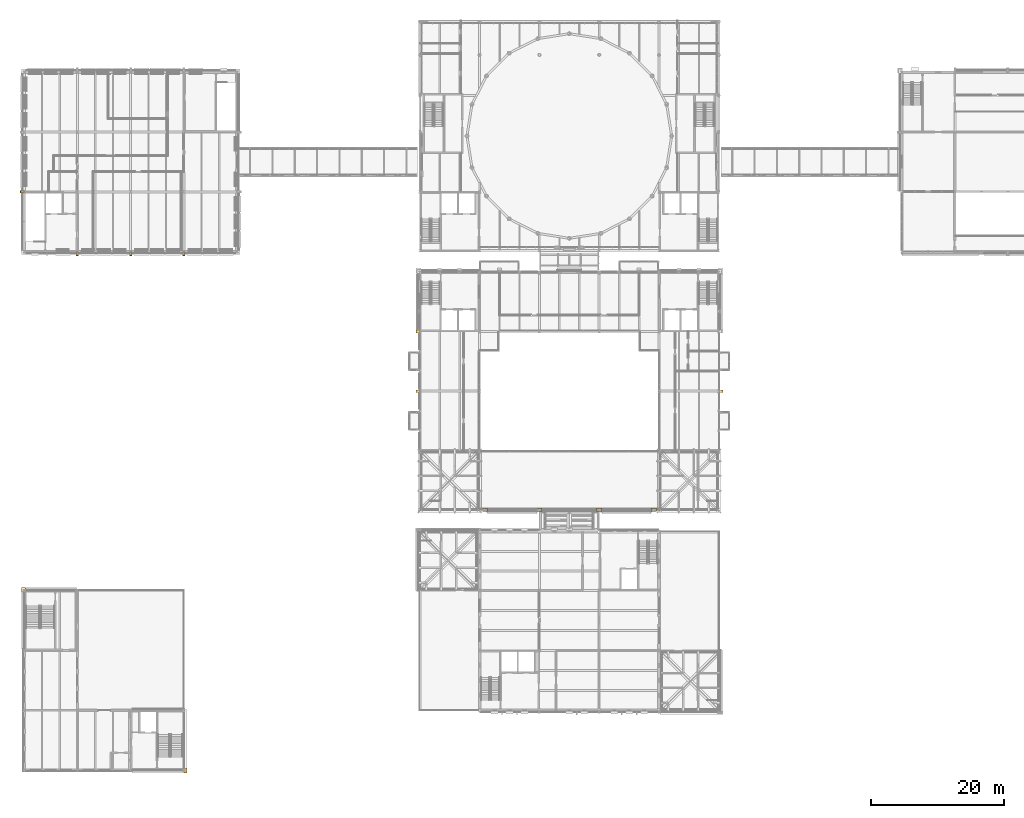
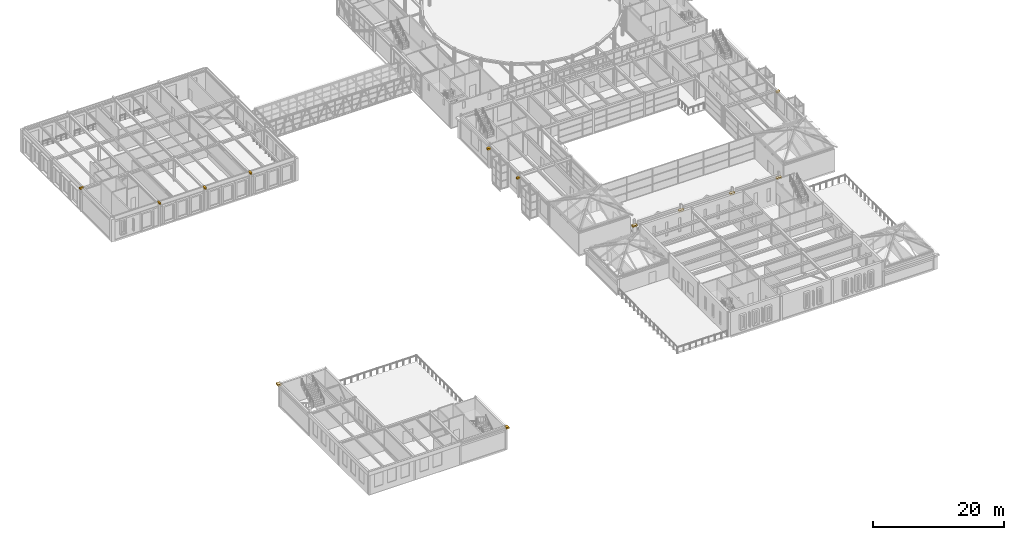
# One storey, part 147 of 149: 13 coverings.
"""IFC4 building model written with IfcOpenShell, lengths in metres."""

from ifc_helpers import new_model, si_unit, direction, frame, origin, origin_2d, place, context, subcontext, project, spatial, rectangle, extrude, material, layer, layer_set, type_object, element, save


model = new_model("IFC4")

# Units and contexts
model_context = context("Model", 3, precision=1e-05, world=origin(), true_north=direction((0.0, 1.0)))
body_context = subcontext(model_context, "Body", "Model", "MODEL_VIEW")
ifc_project = project(units=[si_unit("LENGTHUNIT", "METRE"), si_unit("AREAUNIT", "SQUARE_METRE"), si_unit("VOLUMEUNIT", "CUBIC_METRE"), si_unit("PLANEANGLEUNIT", "RADIAN"), si_unit("MASSUNIT", "GRAM", prefix="KILO")], contexts=[model_context])

# Site, building, storey
site_placement = place(None, origin())
site = spatial("IfcSite", under=ifc_project, at=site_placement, CompositionType="ELEMENT")
building_placement = place(site_placement, origin())
building = spatial("IfcBuilding", under=site, at=building_placement, Name="Kallimachos Central Library", CompositionType="ELEMENT")
storey_placement = place(building_placement, frame((0.0, 0.0, 9.89990234375)))
storey = spatial("IfcBuildingStorey", under=building, at=storey_placement, Name="L02", CompositionType="ELEMENT", Elevation=9.89990234375)

# Coverings
ifc_material_1 = material(Name="Pentelic marble cornice", Category="masonry")
ifc_layer_1 = layer(ifc_material_1, 0.449951171875)
ifc_layer_set_1 = layer_set([ifc_layer_1], Name="Stone cornice 450")
covering_type_1 = type_object("IfcCoveringType", Name="Stone cornice 450", PredefinedType="MOLDING", material=ifc_layer_set_1)
covering_1_placement = place(storey_placement, frame((65.17041015625, 66.0, 3.4501953125), z_axis=(0.0, 0.0, 1.0), x_axis=(1.0, 0.0, 0.0)))
element("IfcCovering", 1, at=covering_1_placement, inside=storey, type_object=covering_type_1, Name="Stone cornice 450 -L02-020", PredefinedType="MOLDING", context=body_context, shape_type="SweptSolid", body=[
    extrude(rectangle(XDim=0.550048828125, YDim=0.376953125, at=origin_2d()), origin(), (0.0, 0.0, 1.0), 0.300048828125),
])
covering_2_placement = place(storey_placement, frame((65.17041015625, 75.0, 3.4501953125), z_axis=(0.0, 0.0, 1.0), x_axis=(1.0, 0.0, 0.0)))
element("IfcCovering", 2, at=covering_2_placement, inside=storey, type_object=covering_type_1, Name="Stone cornice 450 -L02-021", PredefinedType="MOLDING", context=body_context, shape_type="SweptSolid", body=[
    extrude(rectangle(XDim=0.550048828125, YDim=0.431884765625, at=origin_2d()), origin(), (0.0, 0.0, 1.0), 0.300048828125),
])
covering_3_placement = place(storey_placement, frame((110.824951171875, 66.0, 3.5), z_axis=(0.0, 0.0, 1.0), x_axis=(1.0, 0.0, 0.0)))
element("IfcCovering", 3, at=covering_3_placement, inside=storey, type_object=covering_type_1, Name="Stone cornice 450 -L02-023", PredefinedType="MOLDING", context=body_context, shape_type="SweptSolid", body=[
    extrude(rectangle(XDim=0.550048828125, YDim=0.39990234375, at=origin_2d()), origin(), (0.0, 0.0, 1.0), 0.300048828125),
])
for number, where, z_axis, x_axis, name in (
    (4, (14.0, 86.675048828125, 4.2001953125), (0.0, 0.0, 1.0), (1.0, 0.0, 0.0), "Stone cornice 450 -L02-005"),
    (5, (22.0, 86.675048828125, 4.2001953125), (0.0, 0.0, 1.0), (1.0, 0.0, 0.0), "Stone cornice 450 -L02-006"),
    (6, (30.0, 86.675048828125, 4.2001953125), (0.0, 0.0, 1.0), (1.0, 0.0, 0.0), "Stone cornice 450 -L02-007"),
):
    element("IfcCovering", number, at=place(storey_placement, frame(where, z_axis=z_axis, x_axis=x_axis)), inside=storey, type_object=covering_type_1, Name=name, PredefinedType="MOLDING", context=body_context, shape_type="SweptSolid", body=[
        extrude(rectangle(XDim=0.300048828125, YDim=0.64990234375, at=origin_2d()), origin(), (0.0, 0.0, 1.0), 0.300048828125),
    ])
covering_4_placement = place(storey_placement, frame((5.675048828125, 96.0, 4.2001953125), z_axis=(0.0, 0.0, 1.0), x_axis=(1.0, 0.0, 0.0)))
element("IfcCovering", 7, at=covering_4_placement, inside=storey, type_object=covering_type_1, Name="Stone cornice 450 -L02-013", PredefinedType="MOLDING", context=body_context, shape_type="SweptSolid", body=[
    extrude(rectangle(XDim=0.64990234375, YDim=0.300048828125, at=origin_2d()), origin(), (0.0, 0.0, 1.0), 0.300048828125),
])
covering_5_placement = place(storey_placement, frame((30.219970703125, 8.875, 4.0), z_axis=(0.0, 0.0, 1.0), x_axis=(1.0, 0.0, 0.0)))
element("IfcCovering", 8, at=covering_5_placement, inside=storey, type_object=covering_type_1, Name="Stone cornice 450 corner", PredefinedType="MOLDING", context=body_context, shape_type="SweptSolid", body=[
    extrude(rectangle(XDim=0.4599609375, YDim=0.64990234375, at=origin_2d()), origin(), (0.0, 0.0, 1.0), 0.300048828125),
])
covering_6_placement = place(storey_placement, frame((5.85009765625, 36.125, 4.0), z_axis=(0.0, 0.0, 1.0), x_axis=(1.0, 0.0, 0.0)))
element("IfcCovering", 9, at=covering_6_placement, inside=storey, type_object=covering_type_1, Name="Stone cornice 450 corner", PredefinedType="MOLDING", context=body_context, shape_type="SweptSolid", body=[
    extrude(rectangle(XDim=0.60009765625, YDim=0.64990234375, at=origin_2d()), origin(), (0.0, 0.0, 1.0), 0.300048828125),
])
ifc_material_2 = material(Name="Pentelic marble pinnacle cap", Category="masonry")
ifc_layer_2 = layer(ifc_material_2, 0.800048828125)
ifc_layer_set_2 = layer_set([ifc_layer_2], Name="Stone pinnacle cap 800")
covering_type_2 = type_object("IfcCoveringType", Name="Stone pinnacle cap 800", PredefinedType="MOLDING", material=ifc_layer_set_2)
for number, where, z_axis, x_axis, name in (
    (10, (75.31005859375, 48.14990234375, 1.900146484375), (0.0, 0.0, 1.0), (1.0, 0.0, 0.0), "South row roof edge pinnacle 1 cap"),
    (11, (83.5, 48.14990234375, 1.900146484375), (0.0, 0.0, 1.0), (1.0, 0.0, 0.0), "South row roof edge pinnacle 2 cap"),
    (12, (92.5, 48.14990234375, 1.900146484375), (0.0, 0.0, 1.0), (1.0, 0.0, 0.0), "South row roof edge pinnacle 3 cap"),
    (13, (100.68994140625, 48.14990234375, 1.900146484375), (0.0, 0.0, 1.0), (1.0, 0.0, 0.0), "South row roof edge pinnacle 4 cap"),
):
    element("IfcCovering", number, at=place(storey_placement, frame(where, z_axis=z_axis, x_axis=x_axis)), inside=storey, type_object=covering_type_2, Name=name, PredefinedType="MOLDING", context=body_context, shape_type="SweptSolid", body=[
        extrude(rectangle(XDim=0.800048828125, YDim=0.5, at=origin_2d()), origin(), (0.0, 0.0, 1.0), 0.25),
    ])

save(model, "model.ifc")
